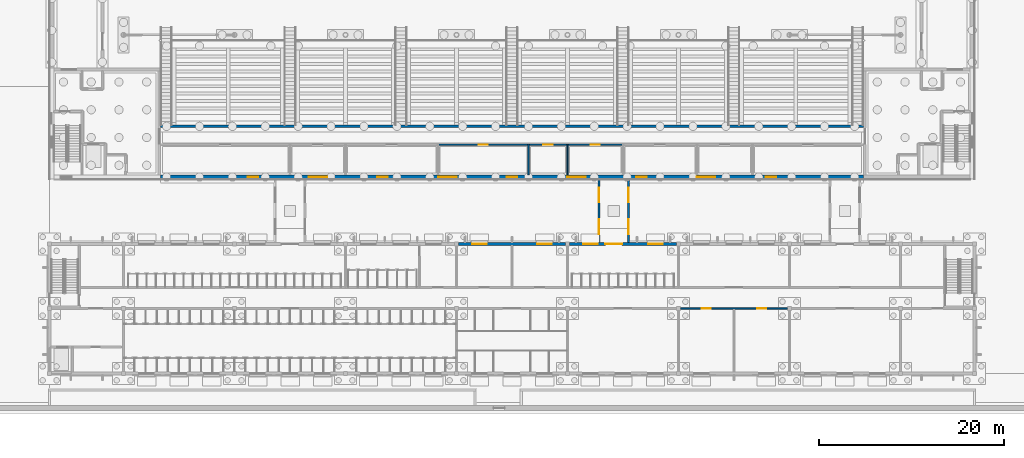
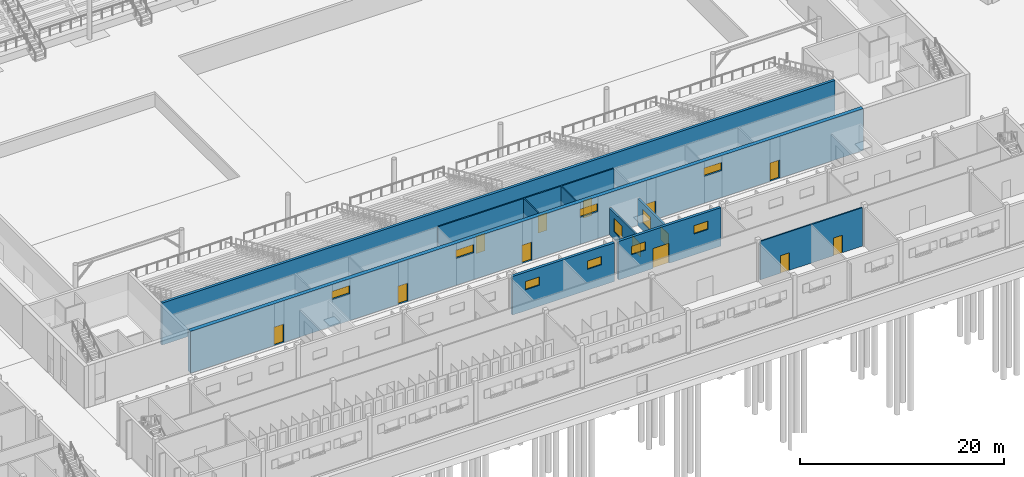
# One storey, part 89 of 157: 12 walls, 12 windows, 11 doors, 23 openings.
"""IFC4 building model written with IfcOpenShell, lengths in metres."""

from ifc_helpers import new_model, si_unit, direction, frame, frame_2d, origin, place, context, subcontext, project, spatial, rectangle, extrude, material, layer, layer_set, type_object, element, fill, save


model = new_model("IFC4")

# Units and contexts
model_context = context("Model", 3, precision=1e-05, world=origin(), true_north=direction((0.0, 1.0)))
body_context = subcontext(model_context, "Body", "Model", "MODEL_VIEW")
ifc_project = project(units=[si_unit("LENGTHUNIT", "METRE"), si_unit("AREAUNIT", "SQUARE_METRE"), si_unit("VOLUMEUNIT", "CUBIC_METRE"), si_unit("PLANEANGLEUNIT", "RADIAN"), si_unit("MASSUNIT", "GRAM", prefix="KILO")], contexts=[model_context])

# Site, building, storey
site_placement = place(None, origin())
site = spatial("IfcSite", under=ifc_project, at=site_placement, CompositionType="ELEMENT")
building_placement = place(site_placement, origin())
building = spatial("IfcBuilding", under=site, at=building_placement, Name="Windward Yard Aquatics Centre", CompositionType="ELEMENT")
storey_placement = place(building_placement, origin())
storey = spatial("IfcBuildingStorey", under=building, at=storey_placement, Name="L00", CompositionType="ELEMENT", Elevation=0.0)

# Wall, openings, doors
ifc_material_1 = material(Name="Concrete masonry unit plastered", Category="masonry")
ifc_layer_1 = layer(ifc_material_1, 0.14990234375)
ifc_layer_set_1 = layer_set([ifc_layer_1], Name="C block partition 150")
wall_type_1 = type_object("IfcWallType", Name="C block partition 150", PredefinedType="PARTITIONING", material=ifc_layer_set_1)
wall_1_placement = place(storey_placement, frame((120.22509765625, 12.0, 0.0), z_axis=(0.0, 0.0, 1.0), x_axis=(1.0, 0.0, 0.0)))
wall_1 = element("IfcWall", 1, at=wall_1_placement, inside=storey, type_object=wall_type_1, Name="C.W.L00.SP.S.7", PredefinedType="PARTITIONING", context=body_context, shape_type="SweptSolid", body=[
    extrude(rectangle(XDim=11.5498046875, YDim=0.14990234375, at=frame_2d((5.77490234375, 0.0))), origin(), (0.0, 0.0, 1.0), 4.60009765625),
])
opening_1_placement = place(wall_1_placement, frame((2.27490234375, 0.0, 0.0)))
opening_1 = element("IfcOpeningElement", 2, at=opening_1_placement, cuts=wall_1, Name="Opening C0011", PredefinedType="OPENING", context=body_context, shape_type="SweptSolid", body=[
    extrude(rectangle(XDim=1.0, YDim=2.10009765625, at=frame_2d((0.5, 1.050048828125))), frame((0.0, 0.0849609375, 0.0), z_axis=(0.0, -1.0, 0.0), x_axis=(1.0, 0.0, 0.0)), (0.0, 0.0, 1.0), 0.169921875),
])
opening_2_placement = place(wall_1_placement, frame((8.27490234375, 0.0, 0.0)))
opening_2 = element("IfcOpeningElement", 3, at=opening_2_placement, cuts=wall_1, Name="Opening C0012", PredefinedType="OPENING", context=body_context, shape_type="SweptSolid", body=[
    extrude(rectangle(XDim=1.0, YDim=2.10009765625, at=frame_2d((0.5, 1.050048828125))), frame((0.0, 0.0849609375, 0.0), z_axis=(0.0, -1.0, 0.0), x_axis=(1.0, 0.0, 0.0)), (0.0, 0.0, 1.0), 0.169921875),
])
ifc_material_2 = material(Name="Timber door leaf in steel frame", Category="steel")
door_type_1 = type_object("IfcDoorType", Name="C door 1000X2100 FD30S", OperationType="SINGLE_SWING_LEFT", PredefinedType="DOOR", material=ifc_material_2)
door_1_placement = place(opening_1_placement, origin())
door_1 = element("IfcDoor", 4, at=door_1_placement, inside=storey, type_object=door_type_1, Name="Door C0011", OperationType="SINGLE_SWING_LEFT", OverallHeight=2.10009765625, OverallWidth=1.0, PredefinedType="DOOR", context=body_context, shape_type="SweptSolid", body=[
    extrude(rectangle(XDim=1.0, YDim=2.10009765625, at=frame_2d((0.5, 1.050048828125))), frame((0.0, 0.02490234375, 0.0), z_axis=(0.0, -1.0, 0.0), x_axis=(1.0, 0.0, 0.0)), (0.0, 0.0, 1.0), 0.050048828125),
])
fill(opening_1, door_1)
door_2_placement = place(opening_2_placement, origin())
door_2 = element("IfcDoor", 5, at=door_2_placement, inside=storey, type_object=door_type_1, Name="Door C0012", OperationType="SINGLE_SWING_LEFT", OverallHeight=2.10009765625, OverallWidth=1.0, PredefinedType="DOOR", context=body_context, shape_type="SweptSolid", body=[
    extrude(rectangle(XDim=1.0, YDim=2.10009765625, at=frame_2d((0.5, 1.050048828125))), frame((0.0, 0.02490234375, 0.0), z_axis=(0.0, -1.0, 0.0), x_axis=(1.0, 0.0, 0.0)), (0.0, 0.0, 1.0), 0.050048828125),
])
fill(opening_2, door_2)

# Wall, openings, windows
ifc_material_3 = material(Name="Concrete C35/45", Category="concrete")
ifc_layer_2 = layer(ifc_material_3, 0.199951171875)
ifc_layer_set_2 = layer_set([ifc_layer_2], Name="C link side wall 200")
wall_type_2 = type_object("IfcWallType", Name="C link side wall 200", PredefinedType="ELEMENTEDWALL", material=ifc_layer_set_2)
wall_2_placement = place(storey_placement, frame((111.39990234375, 19.14990234375, 0.0), z_axis=(0.0, 0.0, 1.0), x_axis=(0.0, 1.0, 0.0)))
wall_2 = element("IfcWall", 6, at=wall_2_placement, inside=storey, type_object=wall_type_2, Name="C.W.X.V4V1.2.N", PredefinedType="ELEMENTEDWALL", context=body_context, shape_type="SweptSolid", body=[
    extrude(rectangle(XDim=6.85009765625, YDim=0.199951171875, at=frame_2d((3.425048828125, 0.0))), origin(), (0.0, 0.0, 1.0), 3.199951171875),
])
opening_3_placement = place(wall_2_placement, frame((0.91259765625, 0.0, 0.89990234375)))
opening_3 = element("IfcOpeningElement", 7, at=opening_3_placement, cuts=wall_2, Name="Opening CW0042", PredefinedType="OPENING", context=body_context, shape_type="SweptSolid", body=[
    extrude(rectangle(XDim=1.60009765625, YDim=1.60009765625, at=frame_2d((0.800048828125, 0.800048828125))), frame((0.0, 0.10986328125, 0.0), z_axis=(0.0, -1.0, 0.0), x_axis=(1.0, 0.0, 0.0)), (0.0, 0.0, 1.0), 0.219970703125),
])
opening_4_placement = place(wall_2_placement, frame((4.33740234375, 0.0, 0.89990234375)))
opening_4 = element("IfcOpeningElement", 8, at=opening_4_placement, cuts=wall_2, Name="Opening CW0043", PredefinedType="OPENING", context=body_context, shape_type="SweptSolid", body=[
    extrude(rectangle(XDim=1.60009765625, YDim=1.60009765625, at=frame_2d((0.800048828125, 0.800048828125))), frame((0.0, 0.10986328125, 0.0), z_axis=(0.0, -1.0, 0.0), x_axis=(1.0, 0.0, 0.0)), (0.0, 0.0, 1.0), 0.219970703125),
])
ifc_material_4 = material(Name="Aluminium framed double glazing", Category="aluminium")
window_type_1 = type_object("IfcWindowType", Name="C window 1600X1600", PartitioningType="SINGLE_PANEL", PredefinedType="WINDOW", material=ifc_material_4)
window_1_placement = place(opening_3_placement, origin())
window_1 = element("IfcWindow", 9, at=window_1_placement, inside=storey, type_object=window_type_1, Name="Window CW0042", OverallHeight=1.60009765625, OverallWidth=1.60009765625, PartitioningType="SINGLE_PANEL", PredefinedType="WINDOW", context=body_context, shape_type="SweptSolid", body=[
    extrude(rectangle(XDim=1.60009765625, YDim=1.60009765625, at=frame_2d((0.800048828125, 0.800048828125))), frame((0.0, 0.030029296875, 0.0), z_axis=(0.0, -1.0, 0.0), x_axis=(1.0, 0.0, 0.0)), (0.0, 0.0, 1.0), 0.06005859375),
])
fill(opening_3, window_1)
window_2_placement = place(opening_4_placement, origin())
window_2 = element("IfcWindow", 10, at=window_2_placement, inside=storey, type_object=window_type_1, Name="Window CW0043", OverallHeight=1.60009765625, OverallWidth=1.60009765625, PartitioningType="SINGLE_PANEL", PredefinedType="WINDOW", context=body_context, shape_type="SweptSolid", body=[
    extrude(rectangle(XDim=1.60009765625, YDim=1.60009765625, at=frame_2d((0.800048828125, 0.800048828125))), frame((0.0, 0.030029296875, 0.0), z_axis=(0.0, -1.0, 0.0), x_axis=(1.0, 0.0, 0.0)), (0.0, 0.0, 1.0), 0.06005859375),
])
fill(opening_4, window_2)

wall_3_placement = place(storey_placement, frame((114.60009765625, 19.14990234375, 0.0), z_axis=(0.0, 0.0, 1.0), x_axis=(0.0, 1.0, 0.0)))
wall_3 = element("IfcWall", 11, at=wall_3_placement, inside=storey, type_object=wall_type_2, Name="C.W.X.V4V1.2.S", PredefinedType="ELEMENTEDWALL", context=body_context, shape_type="SweptSolid", body=[
    extrude(rectangle(XDim=6.85009765625, YDim=0.199951171875, at=frame_2d((3.425048828125, 0.0))), origin(), (0.0, 0.0, 1.0), 3.199951171875),
])
opening_5_placement = place(wall_3_placement, frame((0.91259765625, 0.0, 0.89990234375)))
opening_5 = element("IfcOpeningElement", 12, at=opening_5_placement, cuts=wall_3, Name="Opening CW0044", PredefinedType="OPENING", context=body_context, shape_type="SweptSolid", body=[
    extrude(rectangle(XDim=1.60009765625, YDim=1.60009765625, at=frame_2d((0.800048828125, 0.800048828125))), frame((0.0, 0.10986328125, 0.0), z_axis=(0.0, -1.0, 0.0), x_axis=(1.0, 0.0, 0.0)), (0.0, 0.0, 1.0), 0.219970703125),
])
opening_6_placement = place(wall_3_placement, frame((4.33740234375, 0.0, 0.89990234375)))
opening_6 = element("IfcOpeningElement", 13, at=opening_6_placement, cuts=wall_3, Name="Opening CW0045", PredefinedType="OPENING", context=body_context, shape_type="SweptSolid", body=[
    extrude(rectangle(XDim=1.60009765625, YDim=1.60009765625, at=frame_2d((0.800048828125, 0.800048828125))), frame((0.0, 0.10986328125, 0.0), z_axis=(0.0, -1.0, 0.0), x_axis=(1.0, 0.0, 0.0)), (0.0, 0.0, 1.0), 0.219970703125),
])
window_3_placement = place(opening_5_placement, origin())
window_3 = element("IfcWindow", 14, at=window_3_placement, inside=storey, type_object=window_type_1, Name="Window CW0044", OverallHeight=1.60009765625, OverallWidth=1.60009765625, PartitioningType="SINGLE_PANEL", PredefinedType="WINDOW", context=body_context, shape_type="SweptSolid", body=[
    extrude(rectangle(XDim=1.60009765625, YDim=1.60009765625, at=frame_2d((0.800048828125, 0.800048828125))), frame((0.0, 0.030029296875, 0.0), z_axis=(0.0, -1.0, 0.0), x_axis=(1.0, 0.0, 0.0)), (0.0, 0.0, 1.0), 0.06005859375),
])
fill(opening_5, window_3)
window_4_placement = place(opening_6_placement, origin())
window_4 = element("IfcWindow", 15, at=window_4_placement, inside=storey, type_object=window_type_1, Name="Window CW0045", OverallHeight=1.60009765625, OverallWidth=1.60009765625, PartitioningType="SINGLE_PANEL", PredefinedType="WINDOW", context=body_context, shape_type="SweptSolid", body=[
    extrude(rectangle(XDim=1.60009765625, YDim=1.60009765625, at=frame_2d((0.800048828125, 0.800048828125))), frame((0.0, 0.030029296875, 0.0), z_axis=(0.0, -1.0, 0.0), x_axis=(1.0, 0.0, 0.0)), (0.0, 0.0, 1.0), 0.06005859375),
])
fill(opening_6, window_4)

ifc_material_5 = material(Name="Natural stone cladding", Category="masonry")
ifc_layer_3 = layer(ifc_material_5, 0.04, Name="Cladding")
ifc_material_6 = material(Name="Ventilated air cavity")
ifc_layer_4 = layer(ifc_material_6, 0.04, ventilated=True, Name="Ventilated cavity")
ifc_material_7 = material(Name="Mineral wool insulation")
ifc_layer_5 = layer(ifc_material_7, 0.06, Name="Insulation")
ifc_layer_6 = layer(ifc_material_3, 0.16, Name="Structure")
ifc_layer_set_3 = layer_set([ifc_layer_3, ifc_layer_4, ifc_layer_5, ifc_layer_6], Name="C stone-faced external wall 300")
wall_type_3 = type_object("IfcWallType", Name="C stone-faced external wall 300", PredefinedType="ELEMENTEDWALL", material=ifc_layer_set_3)
wall_4_placement = place(storey_placement, frame((96.22509765625, 19.0, 0.0), z_axis=(0.0, 0.0, 1.0), x_axis=(1.0, 0.0, 0.0)))
wall_4 = element("IfcWall", 16, at=wall_4_placement, inside=storey, type_object=wall_type_3, Name="C.W.L00.N5", PredefinedType="ELEMENTEDWALL", context=body_context, shape_type="SweptSolid", body=[
    extrude(rectangle(XDim=11.5498046875, YDim=0.300048828125, at=frame_2d((5.77490234375, 0.0))), origin(), (0.0, 0.0, 1.0), 4.60009765625),
])
opening_7_placement = place(wall_4_placement, frame((1.458251953125, 0.0, 2.5)))
opening_7 = element("IfcOpeningElement", 17, at=opening_7_placement, cuts=wall_4, Name="Opening CW0029", PredefinedType="OPENING", context=body_context, shape_type="SweptSolid", body=[
    extrude(rectangle(XDim=1.60009765625, YDim=1.0, at=frame_2d((0.800048828125, 0.5))), frame((0.0, 0.16015625, 0.0), z_axis=(0.0, -1.0, 0.0), x_axis=(1.0, 0.0, 0.0)), (0.0, 0.0, 1.0), 0.320068359375),
])
opening_8_placement = place(wall_4_placement, frame((8.49169921875, 0.0, 2.5)))
opening_8 = element("IfcOpeningElement", 18, at=opening_8_placement, cuts=wall_4, Name="Opening CW0030", PredefinedType="OPENING", context=body_context, shape_type="SweptSolid", body=[
    extrude(rectangle(XDim=1.60009765625, YDim=1.0, at=frame_2d((0.800048828125, 0.5))), frame((0.0, 0.16015625, 0.0), z_axis=(0.0, -1.0, 0.0), x_axis=(1.0, 0.0, 0.0)), (0.0, 0.0, 1.0), 0.320068359375),
])
window_type_2 = type_object("IfcWindowType", Name="C window 1600X1000", PartitioningType="SINGLE_PANEL", PredefinedType="WINDOW", material=ifc_material_4)
window_5_placement = place(opening_7_placement, origin())
window_5 = element("IfcWindow", 19, at=window_5_placement, inside=storey, type_object=window_type_2, Name="Window CW0029", OverallHeight=1.0, OverallWidth=1.60009765625, PartitioningType="SINGLE_PANEL", PredefinedType="WINDOW", context=body_context, shape_type="SweptSolid", body=[
    extrude(rectangle(XDim=1.60009765625, YDim=1.0, at=frame_2d((0.800048828125, 0.5))), frame((0.0, 0.030029296875, 0.0), z_axis=(0.0, -1.0, 0.0), x_axis=(1.0, 0.0, 0.0)), (0.0, 0.0, 1.0), 0.06005859375),
])
fill(opening_7, window_5)
window_6_placement = place(opening_8_placement, origin())
window_6 = element("IfcWindow", 20, at=window_6_placement, inside=storey, type_object=window_type_2, Name="Window CW0030", OverallHeight=1.0, OverallWidth=1.60009765625, PartitioningType="SINGLE_PANEL", PredefinedType="WINDOW", context=body_context, shape_type="SweptSolid", body=[
    extrude(rectangle(XDim=1.60009765625, YDim=1.0, at=frame_2d((0.800048828125, 0.5))), frame((0.0, 0.030029296875, 0.0), z_axis=(0.0, -1.0, 0.0), x_axis=(1.0, 0.0, 0.0)), (0.0, 0.0, 1.0), 0.06005859375),
])
fill(opening_8, window_6)

# Wall, openings, door, windows
wall_5_placement = place(storey_placement, frame((108.22509765625, 19.0, 0.0), z_axis=(0.0, 0.0, 1.0), x_axis=(1.0, 0.0, 0.0)))
wall_5 = element("IfcWall", 21, at=wall_5_placement, inside=storey, type_object=wall_type_3, Name="C.W.L00.N6", PredefinedType="ELEMENTEDWALL", context=body_context, shape_type="SweptSolid", body=[
    extrude(rectangle(XDim=11.5498046875, YDim=0.300048828125, at=frame_2d((5.77490234375, 0.0))), origin(), (0.0, 0.0, 1.0), 4.60009765625),
])
opening_9_placement = place(wall_5_placement, frame((1.458251953125, 0.0, 2.5)))
opening_9 = element("IfcOpeningElement", 22, at=opening_9_placement, cuts=wall_5, Name="Opening CW0031", PredefinedType="OPENING", context=body_context, shape_type="SweptSolid", body=[
    extrude(rectangle(XDim=1.60009765625, YDim=1.0, at=frame_2d((0.800048828125, 0.5))), frame((0.0, 0.16015625, 0.0), z_axis=(0.0, -1.0, 0.0), x_axis=(1.0, 0.0, 0.0)), (0.0, 0.0, 1.0), 0.320068359375),
])
opening_10_placement = place(wall_5_placement, frame((8.49169921875, 0.0, 2.5)))
opening_10 = element("IfcOpeningElement", 23, at=opening_10_placement, cuts=wall_5, Name="Opening CW0032", PredefinedType="OPENING", context=body_context, shape_type="SweptSolid", body=[
    extrude(rectangle(XDim=1.60009765625, YDim=1.0, at=frame_2d((0.800048828125, 0.5))), frame((0.0, 0.16015625, 0.0), z_axis=(0.0, -1.0, 0.0), x_axis=(1.0, 0.0, 0.0)), (0.0, 0.0, 1.0), 0.320068359375),
])
opening_11_placement = place(wall_5_placement, frame((3.875, 0.0, 0.0)))
opening_11 = element("IfcOpeningElement", 24, at=opening_11_placement, cuts=wall_5, Name="Opening C0004", PredefinedType="OPENING", context=body_context, shape_type="SweptSolid", body=[
    extrude(rectangle(XDim=1.800048828125, YDim=2.39990234375, at=frame_2d((0.89990234375, 1.199951171875))), frame((0.0, 0.16015625, 0.0), z_axis=(0.0, -1.0, 0.0), x_axis=(1.0, 0.0, 0.0)), (0.0, 0.0, 1.0), 0.320068359375),
])
door_type_2 = type_object("IfcDoorType", Name="C double door 1800X2400 FD30S", OperationType="DOUBLE_DOOR_SINGLE_SWING", PredefinedType="DOOR", material=ifc_material_2)
door_3_placement = place(opening_11_placement, origin())
door_3 = element("IfcDoor", 25, at=door_3_placement, inside=storey, type_object=door_type_2, Name="Link door to the pool hall", OperationType="DOUBLE_DOOR_SINGLE_SWING", OverallHeight=2.39990234375, OverallWidth=1.800048828125, PredefinedType="DOOR", context=body_context, shape_type="SweptSolid", body=[
    extrude(rectangle(XDim=1.800048828125, YDim=2.39990234375, at=frame_2d((0.89990234375, 1.199951171875))), frame((0.0, 0.02490234375, 0.0), z_axis=(0.0, -1.0, 0.0), x_axis=(1.0, 0.0, 0.0)), (0.0, 0.0, 1.0), 0.050048828125),
])
fill(opening_11, door_3)
window_7_placement = place(opening_9_placement, origin())
window_7 = element("IfcWindow", 26, at=window_7_placement, inside=storey, type_object=window_type_2, Name="Window CW0031", OverallHeight=1.0, OverallWidth=1.60009765625, PartitioningType="SINGLE_PANEL", PredefinedType="WINDOW", context=body_context, shape_type="SweptSolid", body=[
    extrude(rectangle(XDim=1.60009765625, YDim=1.0, at=frame_2d((0.800048828125, 0.5))), frame((0.0, 0.030029296875, 0.0), z_axis=(0.0, -1.0, 0.0), x_axis=(1.0, 0.0, 0.0)), (0.0, 0.0, 1.0), 0.06005859375),
])
fill(opening_9, window_7)
window_8_placement = place(opening_10_placement, origin())
window_8 = element("IfcWindow", 27, at=window_8_placement, inside=storey, type_object=window_type_2, Name="Window CW0032", OverallHeight=1.0, OverallWidth=1.60009765625, PartitioningType="SINGLE_PANEL", PredefinedType="WINDOW", context=body_context, shape_type="SweptSolid", body=[
    extrude(rectangle(XDim=1.60009765625, YDim=1.0, at=frame_2d((0.800048828125, 0.5))), frame((0.0, 0.030029296875, 0.0), z_axis=(0.0, -1.0, 0.0), x_axis=(1.0, 0.0, 0.0)), (0.0, 0.0, 1.0), 0.06005859375),
])
fill(opening_10, window_8)

# Wall, opening, door
ifc_material_8 = material(Name="Blockwork 150 mm", Category="masonry")
ifc_layer_7 = layer(ifc_material_8, 0.14990234375)
ifc_layer_set_4 = layer_set([ifc_layer_7], Name="H Partition Blockwork 150")
wall_type_4 = type_object("IfcWallType", Name="H Partition Blockwork 150", PredefinedType="PARTITIONING", material=ifc_layer_set_4)
wall_6_placement = place(storey_placement, frame((94.074951171875, 29.719970703125, 0.0), z_axis=(0.0, 0.0, 1.0), x_axis=(1.0, 0.0, 0.0)))
wall_6 = element("IfcWall", 28, at=wall_6_placement, inside=storey, type_object=wall_type_4, Name="L00 partition Officials and Timing Office", PredefinedType="PARTITIONING", context=body_context, shape_type="SweptSolid", body=[
    extrude(rectangle(XDim=9.650146484375, YDim=0.14990234375, at=frame_2d((4.8251953125, 0.0))), origin(), (0.0, 0.0, 1.0), 4.75),
])
opening_12_placement = place(wall_6_placement, frame((4.324951171875, 0.0, 0.0)))
opening_12 = element("IfcOpeningElement", 29, at=opening_12_placement, cuts=wall_6, Name="Opening H0032", PredefinedType="OPENING", context=body_context, shape_type="SweptSolid", body=[
    extrude(rectangle(XDim=1.0, YDim=2.10009765625, at=frame_2d((0.5, 1.050048828125))), frame((0.0, 0.0849609375, 0.0), z_axis=(0.0, -1.0, 0.0), x_axis=(1.0, 0.0, 0.0)), (0.0, 0.0, 1.0), 0.169921875),
])
ifc_material_9 = material(Name="Steel and timber door leaf", Category="steel")
door_type_3 = type_object("IfcDoorType", Name="H Door Single 1000 x 2100 FD30S", OperationType="NOTDEFINED", PredefinedType="DOOR", material=ifc_material_9)
door_4_placement = place(opening_12_placement, origin())
door_4 = element("IfcDoor", 30, at=door_4_placement, inside=storey, type_object=door_type_3, Name="L00 Officials and Timing Office door", OperationType="SINGLE_SWING_LEFT", OverallHeight=2.10009765625, OverallWidth=1.0, PredefinedType="DOOR", context=body_context, shape_type="SweptSolid", body=[
    extrude(rectangle(XDim=1.0, YDim=2.10009765625, at=frame_2d((0.5, 1.050048828125))), frame((0.0, 0.02490234375, 0.0), z_axis=(0.0, -1.0, 0.0), x_axis=(1.0, 0.0, 0.0)), (0.0, 0.0, 1.0), 0.050048828125),
])
fill(opening_12, door_4)

# Wall
wall_7_placement = place(storey_placement, frame((103.800048828125, 26.449951171875, 0.0), z_axis=(0.0, 0.0, 1.0), x_axis=(0.0, 1.0, 0.0)))
element("IfcWall", 31, at=wall_7_placement, inside=storey, type_object=wall_type_4, Name="L00 partition Officials and Timing Office", PredefinedType="PARTITIONING", context=body_context, shape_type="SweptSolid", body=[
    extrude(rectangle(XDim=3.344970703125, YDim=0.14990234375, at=frame_2d((1.67236328125, 0.0))), origin(), (0.0, 0.0, 1.0), 4.75),
])

# Wall, opening, door
wall_8_placement = place(storey_placement, frame((103.875, 29.719970703125, 0.0), z_axis=(0.0, 0.0, 1.0), x_axis=(1.0, 0.0, 0.0)))
wall_8 = element("IfcWall", 32, at=wall_8_placement, inside=storey, type_object=wall_type_4, Name="L00 partition First Aid Room", PredefinedType="PARTITIONING", context=body_context, shape_type="SweptSolid", body=[
    extrude(rectangle(XDim=4.050048828125, YDim=0.14990234375, at=frame_2d((2.02490234375, 0.0))), origin(), (0.0, 0.0, 1.0), 4.75),
])
opening_13_placement = place(wall_8_placement, frame((1.52490234375, 0.0, 0.0)))
opening_13 = element("IfcOpeningElement", 33, at=opening_13_placement, cuts=wall_8, Name="Opening H0033", PredefinedType="OPENING", context=body_context, shape_type="SweptSolid", body=[
    extrude(rectangle(XDim=1.0, YDim=2.10009765625, at=frame_2d((0.5, 1.050048828125))), frame((0.0, 0.0849609375, 0.0), z_axis=(0.0, -1.0, 0.0), x_axis=(1.0, 0.0, 0.0)), (0.0, 0.0, 1.0), 0.169921875),
])
door_5_placement = place(opening_13_placement, origin())
door_5 = element("IfcDoor", 34, at=door_5_placement, inside=storey, type_object=door_type_3, Name="L00 First Aid Room door", OperationType="SINGLE_SWING_RIGHT", OverallHeight=2.10009765625, OverallWidth=1.0, PredefinedType="DOOR", context=body_context, shape_type="SweptSolid", body=[
    extrude(rectangle(XDim=1.0, YDim=2.10009765625, at=frame_2d((0.5, 1.050048828125))), frame((0.0, 0.02490234375, 0.0), z_axis=(0.0, -1.0, 0.0), x_axis=(1.0, 0.0, 0.0)), (0.0, 0.0, 1.0), 0.050048828125),
])
fill(opening_13, door_5)

# Wall
wall_9_placement = place(storey_placement, frame((108.0, 26.449951171875, 0.0), z_axis=(0.0, 0.0, 1.0), x_axis=(0.0, 1.0, 0.0)))
element("IfcWall", 35, at=wall_9_placement, inside=storey, type_object=wall_type_4, Name="L00 partition First Aid Room", PredefinedType="PARTITIONING", context=body_context, shape_type="SweptSolid", body=[
    extrude(rectangle(XDim=3.344970703125, YDim=0.14990234375, at=frame_2d((1.67236328125, 0.0))), origin(), (0.0, 0.0, 1.0), 4.75),
])

# Wall, opening, door
wall_10_placement = place(storey_placement, frame((108.074951171875, 29.719970703125, 0.0), z_axis=(0.0, 0.0, 1.0), x_axis=(1.0, 0.0, 0.0)))
wall_10 = element("IfcWall", 36, at=wall_10_placement, inside=storey, type_object=wall_type_4, Name="L00 partition Doping Control Office", PredefinedType="PARTITIONING", context=body_context, shape_type="SweptSolid", body=[
    extrude(rectangle(XDim=5.85009765625, YDim=0.14990234375, at=frame_2d((2.925048828125, 0.0))), origin(), (0.0, 0.0, 1.0), 4.75),
])
opening_14_placement = place(wall_10_placement, frame((2.425048828125, 0.0, 0.0)))
opening_14 = element("IfcOpeningElement", 37, at=opening_14_placement, cuts=wall_10, Name="Opening H0034", PredefinedType="OPENING", context=body_context, shape_type="SweptSolid", body=[
    extrude(rectangle(XDim=1.0, YDim=2.10009765625, at=frame_2d((0.5, 1.050048828125))), frame((0.0, 0.0849609375, 0.0), z_axis=(0.0, -1.0, 0.0), x_axis=(1.0, 0.0, 0.0)), (0.0, 0.0, 1.0), 0.169921875),
])
door_6_placement = place(opening_14_placement, origin())
door_6 = element("IfcDoor", 38, at=door_6_placement, inside=storey, type_object=door_type_3, Name="L00 Doping Control Office door", OperationType="SINGLE_SWING_LEFT", OverallHeight=2.10009765625, OverallWidth=1.0, PredefinedType="DOOR", context=body_context, shape_type="SweptSolid", body=[
    extrude(rectangle(XDim=1.0, YDim=2.10009765625, at=frame_2d((0.5, 1.050048828125))), frame((0.0, 0.02490234375, 0.0), z_axis=(0.0, -1.0, 0.0), x_axis=(1.0, 0.0, 0.0)), (0.0, 0.0, 1.0), 0.050048828125),
])
fill(opening_14, door_6)

# Wall, openings, windows, doors
ifc_layer_8 = layer(ifc_material_5, 0.04, Name="Cladding")
ifc_layer_9 = layer(ifc_material_6, 0.05, ventilated=True, Name="Ventilated cavity")
ifc_layer_10 = layer(ifc_material_7, 0.08, Name="Insulation")
ifc_layer_11 = layer(ifc_material_3, 0.28, Name="Structure")
ifc_layer_set_5 = layer_set([ifc_layer_8, ifc_layer_9, ifc_layer_10, ifc_layer_11], Name="H plinth wall stone faced 450 C35/45")
wall_type_5 = type_object("IfcWallType", Name="H plinth wall stone faced 450 C35/45", PredefinedType="ELEMENTEDWALL", material=ifc_layer_set_5)
wall_11_placement = place(storey_placement, frame((64.0, 26.22509765625, 0.0), z_axis=(0.0, 0.0, 1.0), x_axis=(1.0, 0.0, 0.0)))
wall_11 = element("IfcWall", 39, at=wall_11_placement, inside=storey, type_object=wall_type_5, Name="H.PW.S.L00", PredefinedType="ELEMENTEDWALL", context=body_context, shape_type="SweptSolid", body=[
    extrude(rectangle(XDim=76.0, YDim=0.449951171875, at=frame_2d((38.0, 0.0))), origin(), (0.0, 0.0, 1.0), 5.0),
])
opening_15_placement = place(wall_11_placement, frame((10.550048828125, 0.0, 0.0), z_axis=(0.0, 0.0, 1.0), x_axis=(-1.0, 0.0, 0.0)))
opening_15 = element("IfcOpeningElement", 40, at=opening_15_placement, cuts=wall_11, Name="Opening H0107", PredefinedType="OPENING", context=body_context, shape_type="SweptSolid", body=[
    extrude(rectangle(XDim=1.10009765625, YDim=2.199951171875, at=frame_2d((0.550048828125, 1.10009765625))), frame((0.0, 0.23486328125, 0.0), z_axis=(0.0, -1.0, 0.0), x_axis=(1.0, 0.0, 0.0)), (0.0, 0.0, 1.0), 0.469970703125),
])
opening_16_placement = place(wall_11_placement, frame((24.550048828125, 0.0, 0.0), z_axis=(0.0, 0.0, 1.0), x_axis=(-1.0, 0.0, 0.0)))
opening_16 = element("IfcOpeningElement", 41, at=opening_16_placement, cuts=wall_11, Name="Opening H0108", PredefinedType="OPENING", context=body_context, shape_type="SweptSolid", body=[
    extrude(rectangle(XDim=1.10009765625, YDim=2.199951171875, at=frame_2d((0.550048828125, 1.10009765625))), frame((0.0, 0.23486328125, 0.0), z_axis=(0.0, -1.0, 0.0), x_axis=(1.0, 0.0, 0.0)), (0.0, 0.0, 1.0), 0.469970703125),
])
opening_17_placement = place(wall_11_placement, frame((38.550048828125, 0.0, 0.0), z_axis=(0.0, 0.0, 1.0), x_axis=(-1.0, 0.0, 0.0)))
opening_17 = element("IfcOpeningElement", 42, at=opening_17_placement, cuts=wall_11, Name="Opening H0109", PredefinedType="OPENING", context=body_context, shape_type="SweptSolid", body=[
    extrude(rectangle(XDim=1.10009765625, YDim=2.199951171875, at=frame_2d((0.550048828125, 1.10009765625))), frame((0.0, 0.23486328125, 0.0), z_axis=(0.0, -1.0, 0.0), x_axis=(1.0, 0.0, 0.0)), (0.0, 0.0, 1.0), 0.469970703125),
])
opening_18_placement = place(wall_11_placement, frame((52.550048828125, 0.0, 0.0), z_axis=(0.0, 0.0, 1.0), x_axis=(-1.0, 0.0, 0.0)))
opening_18 = element("IfcOpeningElement", 43, at=opening_18_placement, cuts=wall_11, Name="Opening H0110", PredefinedType="OPENING", context=body_context, shape_type="SweptSolid", body=[
    extrude(rectangle(XDim=1.10009765625, YDim=2.199951171875, at=frame_2d((0.550048828125, 1.10009765625))), frame((0.0, 0.23486328125, 0.0), z_axis=(0.0, -1.0, 0.0), x_axis=(1.0, 0.0, 0.0)), (0.0, 0.0, 1.0), 0.469970703125),
])
opening_19_placement = place(wall_11_placement, frame((66.550048828125, 0.0, 0.0), z_axis=(0.0, 0.0, 1.0), x_axis=(-1.0, 0.0, 0.0)))
opening_19 = element("IfcOpeningElement", 44, at=opening_19_placement, cuts=wall_11, Name="Opening H0111", PredefinedType="OPENING", context=body_context, shape_type="SweptSolid", body=[
    extrude(rectangle(XDim=1.10009765625, YDim=2.199951171875, at=frame_2d((0.550048828125, 1.10009765625))), frame((0.0, 0.23486328125, 0.0), z_axis=(0.0, -1.0, 0.0), x_axis=(1.0, 0.0, 0.0)), (0.0, 0.0, 1.0), 0.469970703125),
])
opening_20_placement = place(wall_11_placement, frame((16.0, 0.0, 3.199951171875)))
opening_20 = element("IfcOpeningElement", 45, at=opening_20_placement, cuts=wall_11, Name="Opening H0204", PredefinedType="OPENING", context=body_context, shape_type="SweptSolid", body=[
    extrude(rectangle(XDim=2.0, YDim=1.0, at=frame_2d((1.0, 0.5))), frame((0.0, 0.23486328125, 0.0), z_axis=(0.0, -1.0, 0.0), x_axis=(1.0, 0.0, 0.0)), (0.0, 0.0, 1.0), 0.469970703125),
])
opening_21_placement = place(wall_11_placement, frame((30.0, 0.0, 3.199951171875)))
opening_21 = element("IfcOpeningElement", 46, at=opening_21_placement, cuts=wall_11, Name="Opening H0205", PredefinedType="OPENING", context=body_context, shape_type="SweptSolid", body=[
    extrude(rectangle(XDim=2.0, YDim=1.0, at=frame_2d((1.0, 0.5))), frame((0.0, 0.23486328125, 0.0), z_axis=(0.0, -1.0, 0.0), x_axis=(1.0, 0.0, 0.0)), (0.0, 0.0, 1.0), 0.469970703125),
])
opening_22_placement = place(wall_11_placement, frame((44.0, 0.0, 3.199951171875)))
opening_22 = element("IfcOpeningElement", 47, at=opening_22_placement, cuts=wall_11, Name="Opening H0206", PredefinedType="OPENING", context=body_context, shape_type="SweptSolid", body=[
    extrude(rectangle(XDim=2.0, YDim=1.0, at=frame_2d((1.0, 0.5))), frame((0.0, 0.23486328125, 0.0), z_axis=(0.0, -1.0, 0.0), x_axis=(1.0, 0.0, 0.0)), (0.0, 0.0, 1.0), 0.469970703125),
])
opening_23_placement = place(wall_11_placement, frame((58.0, 0.0, 3.199951171875)))
opening_23 = element("IfcOpeningElement", 48, at=opening_23_placement, cuts=wall_11, Name="Opening H0207", PredefinedType="OPENING", context=body_context, shape_type="SweptSolid", body=[
    extrude(rectangle(XDim=2.0, YDim=1.0, at=frame_2d((1.0, 0.5))), frame((0.0, 0.23486328125, 0.0), z_axis=(0.0, -1.0, 0.0), x_axis=(1.0, 0.0, 0.0)), (0.0, 0.0, 1.0), 0.469970703125),
])
ifc_material_10 = material(Name="Aluminium window frame with laminated glass", Category="aluminium")
window_type_3 = type_object("IfcWindowType", Name="H plinth high window 2000x1000", PartitioningType="SINGLE_PANEL", PredefinedType="WINDOW", material=ifc_material_10)
window_9_placement = place(opening_20_placement, origin())
window_9 = element("IfcWindow", 49, at=window_9_placement, inside=storey, type_object=window_type_3, Name="Plinth window S 204", OverallHeight=1.0, OverallWidth=2.0, PartitioningType="SINGLE_PANEL", PredefinedType="WINDOW", context=body_context, shape_type="SweptSolid", body=[
    extrude(rectangle(XDim=2.0, YDim=1.0, at=frame_2d((1.0, 0.5))), frame((0.0, 0.030029296875, 0.0), z_axis=(0.0, -1.0, 0.0), x_axis=(1.0, 0.0, 0.0)), (0.0, 0.0, 1.0), 0.06005859375),
])
fill(opening_20, window_9)
window_10_placement = place(opening_21_placement, origin())
window_10 = element("IfcWindow", 50, at=window_10_placement, inside=storey, type_object=window_type_3, Name="Plinth window S 205", OverallHeight=1.0, OverallWidth=2.0, PartitioningType="SINGLE_PANEL", PredefinedType="WINDOW", context=body_context, shape_type="SweptSolid", body=[
    extrude(rectangle(XDim=2.0, YDim=1.0, at=frame_2d((1.0, 0.5))), frame((0.0, 0.030029296875, 0.0), z_axis=(0.0, -1.0, 0.0), x_axis=(1.0, 0.0, 0.0)), (0.0, 0.0, 1.0), 0.06005859375),
])
fill(opening_21, window_10)
window_11_placement = place(opening_22_placement, origin())
window_11 = element("IfcWindow", 51, at=window_11_placement, inside=storey, type_object=window_type_3, Name="Plinth window S 206", OverallHeight=1.0, OverallWidth=2.0, PartitioningType="SINGLE_PANEL", PredefinedType="WINDOW", context=body_context, shape_type="SweptSolid", body=[
    extrude(rectangle(XDim=2.0, YDim=1.0, at=frame_2d((1.0, 0.5))), frame((0.0, 0.030029296875, 0.0), z_axis=(0.0, -1.0, 0.0), x_axis=(1.0, 0.0, 0.0)), (0.0, 0.0, 1.0), 0.06005859375),
])
fill(opening_22, window_11)
window_12_placement = place(opening_23_placement, origin())
window_12 = element("IfcWindow", 52, at=window_12_placement, inside=storey, type_object=window_type_3, Name="Plinth window S 207", OverallHeight=1.0, OverallWidth=2.0, PartitioningType="SINGLE_PANEL", PredefinedType="WINDOW", context=body_context, shape_type="SweptSolid", body=[
    extrude(rectangle(XDim=2.0, YDim=1.0, at=frame_2d((1.0, 0.5))), frame((0.0, 0.030029296875, 0.0), z_axis=(0.0, -1.0, 0.0), x_axis=(1.0, 0.0, 0.0)), (0.0, 0.0, 1.0), 0.06005859375),
])
fill(opening_23, window_12)
ifc_material_11 = material(Name="Powder coated steel door set with vision panels", Category="steel")
door_type_4 = type_object("IfcDoorType", Name="H service door single leaf 1100x2200", OperationType="SINGLE_SWING_LEFT", PredefinedType="DOOR", material=ifc_material_11)
door_7_placement = place(opening_15_placement, origin())
door_7 = element("IfcDoor", 53, at=door_7_placement, inside=storey, type_object=door_type_4, Name="Exit door S 107", OperationType="SINGLE_SWING_RIGHT", OverallHeight=2.199951171875, OverallWidth=1.10009765625, PredefinedType="DOOR", context=body_context, shape_type="SweptSolid", body=[
    extrude(rectangle(XDim=1.10009765625, YDim=2.199951171875, at=frame_2d((0.550048828125, 1.10009765625))), frame((0.0, 0.02490234375, 0.0), z_axis=(0.0, -1.0, 0.0), x_axis=(1.0, 0.0, 0.0)), (0.0, 0.0, 1.0), 0.050048828125),
])
fill(opening_15, door_7)
door_8_placement = place(opening_16_placement, origin())
door_8 = element("IfcDoor", 54, at=door_8_placement, inside=storey, type_object=door_type_4, Name="Exit door S 108", OperationType="SINGLE_SWING_LEFT", OverallHeight=2.199951171875, OverallWidth=1.10009765625, PredefinedType="DOOR", context=body_context, shape_type="SweptSolid", body=[
    extrude(rectangle(XDim=1.10009765625, YDim=2.199951171875, at=frame_2d((0.550048828125, 1.10009765625))), frame((0.0, 0.02490234375, 0.0), z_axis=(0.0, -1.0, 0.0), x_axis=(1.0, 0.0, 0.0)), (0.0, 0.0, 1.0), 0.050048828125),
])
fill(opening_16, door_8)
door_9_placement = place(opening_17_placement, origin())
door_9 = element("IfcDoor", 55, at=door_9_placement, inside=storey, type_object=door_type_4, Name="Exit door S 109", OperationType="SINGLE_SWING_RIGHT", OverallHeight=2.199951171875, OverallWidth=1.10009765625, PredefinedType="DOOR", context=body_context, shape_type="SweptSolid", body=[
    extrude(rectangle(XDim=1.10009765625, YDim=2.199951171875, at=frame_2d((0.550048828125, 1.10009765625))), frame((0.0, 0.02490234375, 0.0), z_axis=(0.0, -1.0, 0.0), x_axis=(1.0, 0.0, 0.0)), (0.0, 0.0, 1.0), 0.050048828125),
])
fill(opening_17, door_9)
door_10_placement = place(opening_18_placement, origin())
door_10 = element("IfcDoor", 56, at=door_10_placement, inside=storey, type_object=door_type_4, Name="Exit door S 110", OperationType="SINGLE_SWING_LEFT", OverallHeight=2.199951171875, OverallWidth=1.10009765625, PredefinedType="DOOR", context=body_context, shape_type="SweptSolid", body=[
    extrude(rectangle(XDim=1.10009765625, YDim=2.199951171875, at=frame_2d((0.550048828125, 1.10009765625))), frame((0.0, 0.02490234375, 0.0), z_axis=(0.0, -1.0, 0.0), x_axis=(1.0, 0.0, 0.0)), (0.0, 0.0, 1.0), 0.050048828125),
])
fill(opening_18, door_10)
door_11_placement = place(opening_19_placement, origin())
door_11 = element("IfcDoor", 57, at=door_11_placement, inside=storey, type_object=door_type_4, Name="Exit door S 111", OperationType="SINGLE_SWING_RIGHT", OverallHeight=2.199951171875, OverallWidth=1.10009765625, PredefinedType="DOOR", context=body_context, shape_type="SweptSolid", body=[
    extrude(rectangle(XDim=1.10009765625, YDim=2.199951171875, at=frame_2d((0.550048828125, 1.10009765625))), frame((0.0, 0.02490234375, 0.0), z_axis=(0.0, -1.0, 0.0), x_axis=(1.0, 0.0, 0.0)), (0.0, 0.0, 1.0), 0.050048828125),
])
fill(opening_19, door_11)

# Wall
ifc_layer_12 = layer(ifc_material_3, 0.300048828125)
ifc_layer_set_6 = layer_set([ifc_layer_12], Name="H rear wall 300 C35/45")
wall_type_6 = type_object("IfcWallType", Name="H rear wall 300 C35/45", PredefinedType="SOLIDWALL", material=ifc_layer_set_6)
wall_12_placement = place(storey_placement, frame((64.0, 31.709716796875, 0.0), z_axis=(0.0, 0.0, 1.0), x_axis=(1.0, 0.0, 0.0)))
element("IfcWall", 58, at=wall_12_placement, inside=storey, type_object=wall_type_6, Name="H.RW.S.L00", PredefinedType="SOLIDWALL", context=body_context, shape_type="SweptSolid", body=[
    extrude(rectangle(XDim=76.0, YDim=0.300048828125, at=frame_2d((38.0, 0.0))), origin(), (0.0, 0.0, 1.0), 5.0),
])

save(model, "model.ifc")
